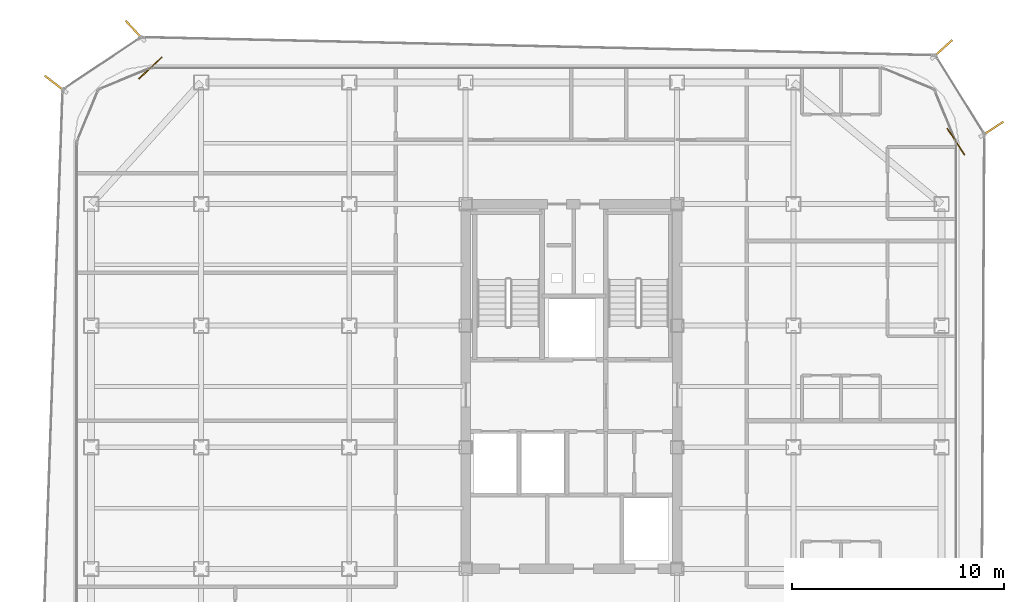
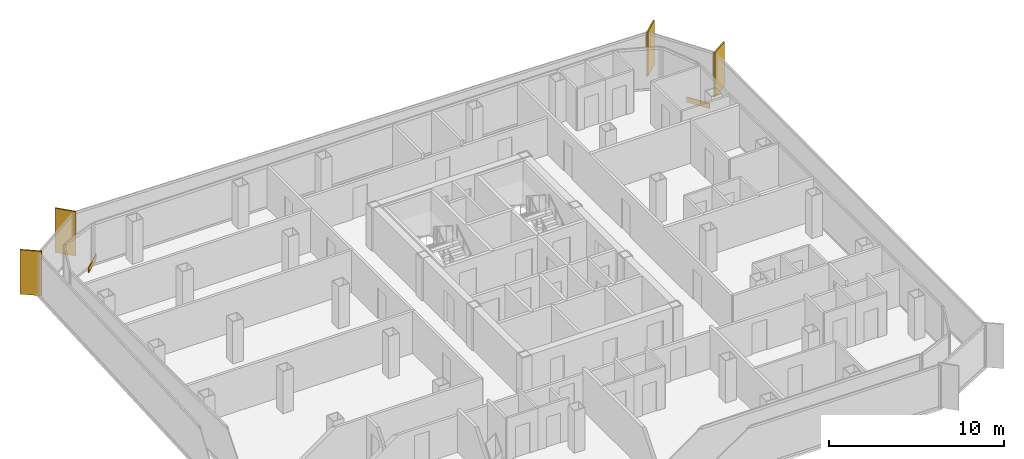
# One storey, part 16 of 16: 4 shading devices, 2 coverings.
"""IFC4 building model written with IfcOpenShell, lengths in metres."""

import ifcopenshell
import ifcopenshell.guid

model = None  # the IFC model being written
_history = None  # IfcOwnerHistory: only IFC2X3 demands one
_inside = {}  # id of a spatial element -> (the spatial element, [elements in it])
_under = {}  # id of a project, library or spatial element -> (it, [spatial elements below it])
_declared = {}  # id of a project -> (the project, [libraries it declares])
_typed = {}  # id of a type object -> (the type object, [elements of that type])
_made_of = {}  # id of a material, layer set ... -> (it, [elements and type objects made of it])


def new_model(schema):
    """Start an empty IFC model of exactly this schema.

    Asked for "IFC4X3", IfcOpenShell would pick the latest addendum, in which some entities
    have other attributes; the version numbers below select the first issue.
    IFC2X3 requires an IfcOwnerHistory on every rooted entity: one is made here for all.
    """
    global model, _history
    if schema == "IFC4X3":
        model = ifcopenshell.file(schema_version=(4, 3, 0, 0))
    else:
        model = ifcopenshell.file(schema=schema)
    _inside.clear()
    _under.clear()
    _declared.clear()
    _typed.clear()
    _made_of.clear()
    _history = None
    if model.schema == "IFC2X3":
        org = make("IfcOrganization", Name="unknown")
        user = make(
            "IfcPersonAndOrganization",
            ThePerson=make("IfcPerson", FamilyName="unknown"),
            TheOrganization=org,
        )
        app = make(
            "IfcApplication",
            ApplicationDeveloper=org,
            Version="unknown",
            ApplicationFullName="unknown",
            ApplicationIdentifier="unknown",
        )
        _history = make(
            "IfcOwnerHistory",
            OwningUser=user,
            OwningApplication=app,
            ChangeAction="ADDED",
            CreationDate=0,
        )
    return model


def make(cls, **values):
    """One entity of the class cls with the attributes given. An attribute that is None is left unset."""
    return model.create_entity(
        cls, **{name: value for name, value in values.items() if value is not None}
    )


def rooted(cls, **values):
    """An entity with a GlobalId (a new one), such as an element, a storey or a relation."""
    return make(cls, GlobalId=ifcopenshell.guid.new(), OwnerHistory=_history, **values)


def si_unit(unit_type, name, prefix=None):
    """IfcSIUnit, for example si_unit("LENGTHUNIT", "METRE", prefix="MILLI")."""
    return make("IfcSIUnit", UnitType=unit_type, Prefix=prefix, Name=name)


def assignment(units):
    """IfcUnitAssignment: the units of a project."""
    return None if units is None else make("IfcUnitAssignment", Units=units)


def point(xyz):
    """IfcCartesianPoint."""
    return None if xyz is None else make("IfcCartesianPoint", Coordinates=xyz)


def direction(xyz):
    """IfcDirection."""
    return None if xyz is None else make("IfcDirection", DirectionRatios=xyz)


def frame(location, z_axis=None, x_axis=None):
    """IfcAxis2Placement3D, a coordinate frame: its origin and axes. An axis left out is left unset."""
    return make(
        "IfcAxis2Placement3D",
        Location=point(location),
        Axis=direction(z_axis),
        RefDirection=direction(x_axis),
    )


def frame_2d(location, x_axis=None):
    """IfcAxis2Placement2D, a coordinate frame in the plane: its origin and x axis."""
    return make(
        "IfcAxis2Placement2D", Location=point(location), RefDirection=direction(x_axis)
    )


def origin():
    """The frame at (0, 0, 0) with its axes left unset."""
    return frame((0.0, 0.0, 0.0))


def origin_2d():
    """The frame at (0, 0) in the plane with its x axis left unset."""
    return frame_2d((0.0, 0.0))


def place(relative_to, where):
    """IfcLocalPlacement: puts the frame where relative to a parent placement (None: the world)."""
    return make(
        "IfcLocalPlacement", PlacementRelTo=relative_to, RelativePlacement=where
    )


def context(
    kind, dimensions, precision=None, world=None, true_north=None, identifier=None
):
    """IfcGeometricRepresentationContext, for example the 3D "Model" context."""
    return make(
        "IfcGeometricRepresentationContext",
        ContextIdentifier=identifier,
        ContextType=kind,
        CoordinateSpaceDimension=dimensions,
        Precision=precision,
        WorldCoordinateSystem=world,
        TrueNorth=true_north,
    )


def subcontext(parent, identifier, kind, view, scale=None):
    """IfcGeometricRepresentationSubContext, for example "Body" below "Model"."""
    return make(
        "IfcGeometricRepresentationSubContext",
        ContextIdentifier=identifier,
        ContextType=kind,
        ParentContext=parent,
        TargetScale=scale,
        TargetView=view,
    )


def project(units=None, contexts=None):
    """IfcProject with its units and contexts."""
    return rooted(
        "IfcProject",
        Name="project",
        RepresentationContexts=contexts,
        UnitsInContext=assignment(units),
    )


def spatial(cls, under=None, at=None, **own):
    """A site, building, storey or space (cls), placed at a placement, below another one or the project."""
    s = rooted(cls, ObjectPlacement=at, **own)
    if under is not None:
        _under.setdefault(under.id(), (under, []))[1].append(s)
    return s


def profile(cls, at=None, kind="AREA", **sizes):
    """A parametric profile (cls). Its sizes go by their IFC names, for example OverallWidth=200.0."""
    return make(cls, ProfileType=kind, Position=at, **sizes)


def rectangle(**sizes):
    """IfcRectangleProfileDef."""
    return profile("IfcRectangleProfileDef", **sizes)


def extrude(swept, where, along, depth):
    """IfcExtrudedAreaSolid: the profile swept, set in the frame where, extruded along a direction by depth."""
    return make(
        "IfcExtrudedAreaSolid",
        SweptArea=swept,
        Position=where,
        ExtrudedDirection=direction(along),
        Depth=depth,
    )


def shape(context_of_items, identifier, shape_type, items):
    """IfcShapeRepresentation: the items that make up one representation, for example the "Body"."""
    return make(
        "IfcShapeRepresentation",
        ContextOfItems=context_of_items,
        RepresentationIdentifier=identifier,
        RepresentationType=shape_type,
        Items=items,
    )


def source(mapping_origin, context_of_items, identifier, shape_type, items):
    """IfcRepresentationMap: a shape defined once, which mapped items show again and again."""
    return make(
        "IfcRepresentationMap",
        MappingOrigin=mapping_origin,
        MappedRepresentation=shape(context_of_items, identifier, shape_type, items),
    )


def transform(
    local_origin,
    x_axis=None,
    y_axis=None,
    z_axis=None,
    scale=None,
    scale2=None,
    scale3=None,
    uniform=True,
):
    """IfcCartesianTransformationOperator3D, or its non-uniform kind. x_axis, y_axis, z_axis: its Axis1, 2, 3."""
    if uniform:
        return make(
            "IfcCartesianTransformationOperator3D",
            Axis1=direction(x_axis),
            Axis2=direction(y_axis),
            LocalOrigin=point(local_origin),
            Scale=scale,
            Axis3=direction(z_axis),
        )
    return make(
        "IfcCartesianTransformationOperator3DnonUniform",
        Axis1=direction(x_axis),
        Axis2=direction(y_axis),
        LocalOrigin=point(local_origin),
        Scale=scale,
        Axis3=direction(z_axis),
        Scale2=scale2,
        Scale3=scale3,
    )


def mapped(mapping_source, mapping_target):
    """IfcMappedItem: shows the shape of a source again, moved by a transform."""
    return make(
        "IfcMappedItem", MappingSource=mapping_source, MappingTarget=mapping_target
    )


def material(Name=None, Category=None):
    """IfcMaterial."""
    return make("IfcMaterial", Name=Name, Category=Category)


def layer(
    of_material, thickness, ventilated=None, Name=None, Category=None, Priority=None
):
    """IfcMaterialLayer: one layer of a wall or slab, of a material (None: an air gap)."""
    return make(
        "IfcMaterialLayer",
        Material=of_material,
        LayerThickness=thickness,
        IsVentilated=ventilated,
        Name=Name,
        Category=Category,
        Priority=Priority,
    )


def layer_set(layers, Name=None):
    """IfcMaterialLayerSet."""
    return make("IfcMaterialLayerSet", MaterialLayers=layers, LayerSetName=Name)


def made_of(thing, what):
    """Note that an element or type object is made of a material, layer set ...; save() writes the relation."""
    if what is not None:
        _made_of.setdefault(what.id(), (what, []))[1].append(thing)
    return thing


def type_object(cls, material=None, **own):
    """A type object (cls), such as IfcWallType, which elements share."""
    return made_of(rooted(cls, **own), material)


def element(
    cls,
    number,
    at=None,
    inside=None,
    cuts=None,
    type_object=None,
    material=None,
    context=None,
    identifier="Body",
    shape_type=None,
    held_by="IfcProductDefinitionShape",
    body=None,
    shapes=None,
    **own,
):
    """One element of the class cls, such as IfcWall. Its Tag is "e" and its number.

    at: its placement. inside: the storey or other place that contains it. cuts: it is an
    opening in that element (IfcRelVoidsElement). A single representation is given by context,
    identifier, shape_type and body (its items); several are given by shapes. held_by: the class
    of the entity that holds the representations. save() writes the other relations.
    """
    e = rooted(cls, Tag="e%d" % number, ObjectPlacement=at, **own)
    if body is not None:
        shapes = [shape(context, identifier, shape_type, body)]
    if shapes is not None:
        e.Representation = make(held_by, Representations=shapes)
    if inside is not None:
        _inside.setdefault(inside.id(), (inside, []))[1].append(e)
    if cuts is not None:
        rooted(
            "IfcRelVoidsElement", RelatingBuildingElement=cuts, RelatedOpeningElement=e
        )
    if type_object is not None:
        _typed.setdefault(type_object.id(), (type_object, []))[1].append(e)
    return made_of(e, material)


def aggregate(whole, parts):
    """IfcRelAggregates: a whole, such as a stair, and the parts it consists of."""
    return rooted("IfcRelAggregates", RelatingObject=whole, RelatedObjects=parts)


def save(model, path):
    """Write the relations noted so far, then the file.

    IfcRelAggregates (storeys below a building ...), IfcRelContainedInSpatialStructure (elements
    in a storey), IfcRelDefinesByType, IfcRelAssociatesMaterial and IfcRelDeclares: one each for
    every whole, place, type object, material and project.
    """
    for whole, parts in _under.values():
        aggregate(whole, parts)
    for where, things in _inside.values():
        rooted(
            "IfcRelContainedInSpatialStructure",
            RelatedElements=things,
            RelatingStructure=where,
        )
    for kind, things in _typed.values():
        rooted("IfcRelDefinesByType", RelatedObjects=things, RelatingType=kind)
    for what, things in _made_of.values():
        rooted("IfcRelAssociatesMaterial", RelatedObjects=things, RelatingMaterial=what)
    for by, libraries in _declared.values():
        rooted("IfcRelDeclares", RelatingContext=by, RelatedDefinitions=libraries)
    model.write(path)


model = new_model("IFC4")

# Units and contexts
model_context = context("Model", 3, precision=1e-05, world=origin(), true_north=direction((0.0, 1.0)))
body_context = subcontext(model_context, "Body", "Model", "MODEL_VIEW")
ifc_project = project(units=[si_unit("LENGTHUNIT", "METRE"), si_unit("AREAUNIT", "SQUARE_METRE"), si_unit("VOLUMEUNIT", "CUBIC_METRE"), si_unit("PLANEANGLEUNIT", "RADIAN"), si_unit("MASSUNIT", "GRAM", prefix="KILO")], contexts=[model_context])

# Site, building, storey
site_placement = place(None, origin())
site = spatial("IfcSite", under=ifc_project, at=site_placement, CompositionType="ELEMENT")
building_placement = place(site_placement, origin())
building = spatial("IfcBuilding", under=site, at=building_placement, Name="Kolveth Station Tower", CompositionType="ELEMENT")
storey_placement = place(building_placement, frame((0.0, 0.0, 162.5)))
storey = spatial("IfcBuildingStorey", under=building, at=storey_placement, Name="L45", CompositionType="ELEMENT", Elevation=162.5)

# Shading devices
ifc_material_1 = material(Name="Black anodized aluminium 6063-T6", Category="aluminium")
shading_device_type = type_object("IfcShadingDeviceType", Name="FIN_VF1", PredefinedType="USERDEFINED", material=ifc_material_1)
shared_shape_1 = source(origin(), body_context, "Body", "SweptSolid", [
    extrude(rectangle(XDim=1.25, YDim=0.090087890625, at=origin_2d()), origin(), (0.0, 0.0, 1.0), 3.10009765625),
])
for number, where, z_axis, x_axis, name in (
    (1, (43.404052734375, 32.302978515625, 0.0), (0.0, 0.0, 1.0), (0.838004540093, 0.545663257682, 0.0), "L45 Dark-Aluminium Solar Fin 3"),
    (2, (41.0439453125, 36.0830078125, 0.0), (0.0, 0.0, 1.0), (0.737748808042, 0.675075326339, 0.0), "L45 Dark-Aluminium Solar Fin 4"),
    (3, (2.85302734375, 36.9619140625, 0.0), (0.0, 0.0, 1.0), (-0.682763857781, 0.730639113728, 0.0), "L45 Dark-Aluminium Solar Fin 5"),
    (4, (-0.89990234375, 34.43505859375, 0.0), (0.0, 0.0, 1.0), (-0.792289643355, 0.610145163901, 0.0), "L45 Dark-Aluminium Solar Fin 6"),
):
    element("IfcShadingDevice", number, at=place(storey_placement, frame(where, z_axis=z_axis, x_axis=x_axis)), inside=storey, type_object=shading_device_type, Name=name, ObjectType="FIN", PredefinedType="USERDEFINED", context=body_context, shape_type="MappedRepresentation", body=[
        mapped(shared_shape_1, transform((0.0, 0.0, 0.0), x_axis=(1.0, 0.0, 0.0), y_axis=(0.0, 1.0, 0.0), z_axis=(0.0, 0.0, 1.0), scale=1.0)),
    ])

# Coverings
ifc_material_2 = material(Name="Charcoal anodized aluminium spandrel cladding", Category="aluminium")
ifc_layer = layer(ifc_material_2, 0.044921875)
ifc_layer_set = layer_set([ifc_layer], Name="Charcoal anodized aluminium spandrel cladding")
covering_type = type_object("IfcCoveringType", Name="Clad_CD1", PredefinedType="CLADDING", material=ifc_layer_set)
shared_shape_2 = source(origin(), body_context, "Body", "SweptSolid", [
    extrude(rectangle(XDim=1.5, YDim=0.044921875, at=origin_2d()), origin(), (0.0, 0.0, 1.0), 0.360107421875),
])
for number, where, z_axis, x_axis, name in (
    (5, (41.679931640625, 31.699951171875, 0.0), (0.0, 0.0, 1.0), (-0.545663257682, 0.838004540093, 0.0), "L45 Spandrel Edge Cladding 3"),
    (6, (3.60009765625, 35.179931640625, 0.0), (0.0, 0.0, 1.0), (-0.730639113728, -0.682763857781, 0.0), "L45 Spandrel Edge Cladding 5"),
):
    element("IfcCovering", number, at=place(storey_placement, frame(where, z_axis=z_axis, x_axis=x_axis)), inside=storey, type_object=covering_type, Name=name, PredefinedType="CLADDING", context=body_context, shape_type="MappedRepresentation", body=[
        mapped(shared_shape_2, transform((0.0, 0.0, 0.0), x_axis=(1.0, 0.0, 0.0), y_axis=(0.0, 1.0, 0.0), z_axis=(0.0, 0.0, 1.0), scale=1.0)),
    ])

save(model, "model.ifc")
